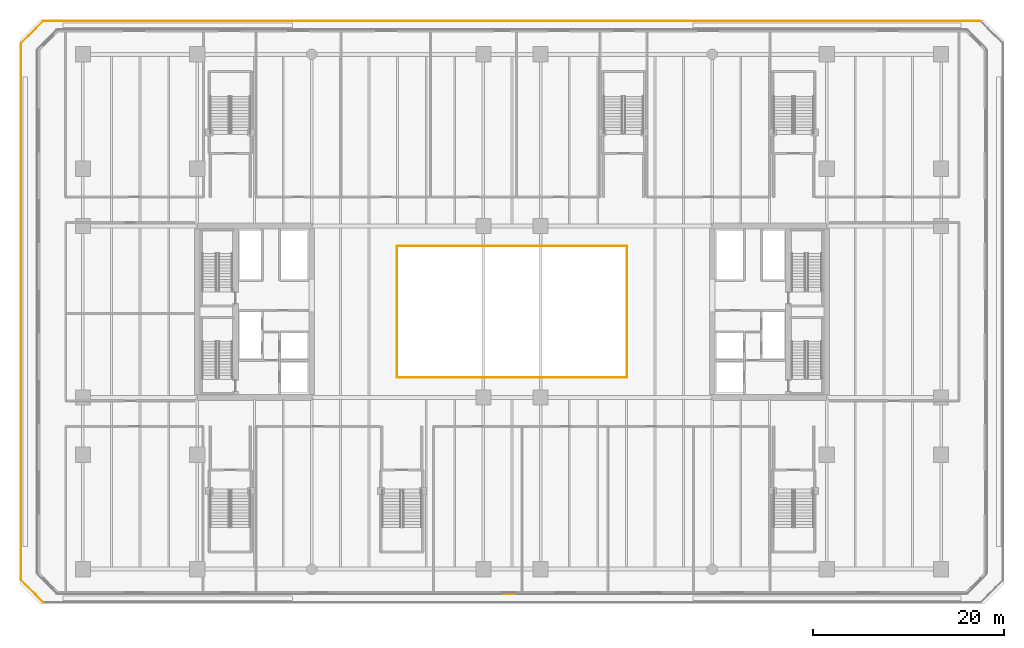
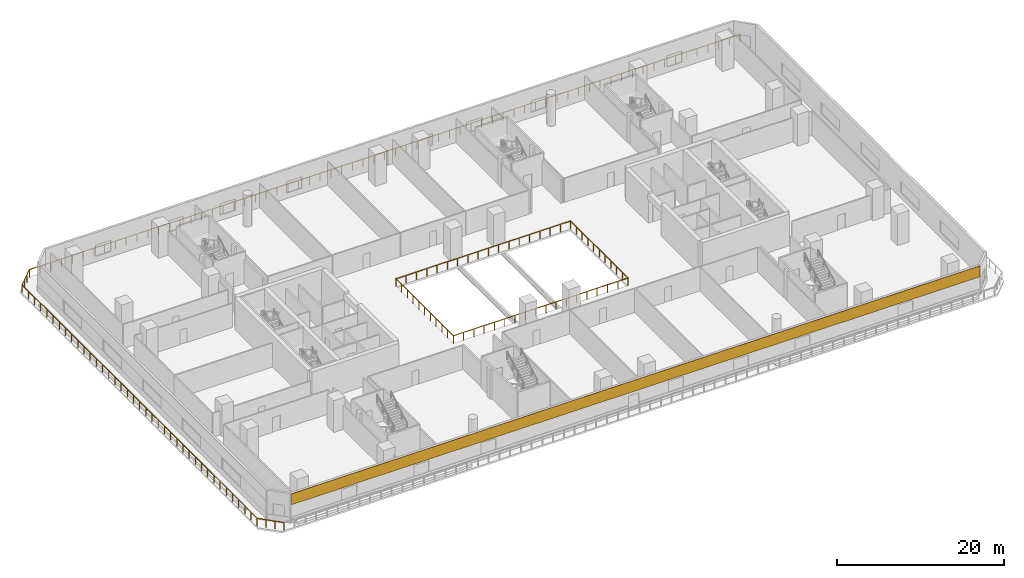
# One storey, part 16 of 27: 3 railings, 1 covering.
"""IFC4 building model written with IfcOpenShell, lengths in metres."""

from ifc_helpers import new_model, si_unit, direction, frame, origin, origin_2d, place, context, subcontext, project, spatial, rectangle, extrude, material, layer, layer_set, type_object, element, save


model = new_model("IFC4")

# Units and contexts
model_context = context("Model", 3, precision=1e-05, world=origin(), true_north=direction((0.0, 1.0)))
body_context = subcontext(model_context, "Body", "Model", "MODEL_VIEW")
ifc_project = project(units=[si_unit("LENGTHUNIT", "METRE"), si_unit("AREAUNIT", "SQUARE_METRE"), si_unit("VOLUMEUNIT", "CUBIC_METRE"), si_unit("PLANEANGLEUNIT", "RADIAN"), si_unit("MASSUNIT", "GRAM", prefix="KILO")], contexts=[model_context])

# Site, building, storey
site_placement = place(None, origin())
site = spatial("IfcSite", under=ifc_project, at=site_placement, CompositionType="ELEMENT")
building_placement = place(site_placement, origin())
building = spatial("IfcBuilding", under=site, at=building_placement, Name="Tanjung Sevakor Pilgrim Tower", CompositionType="ELEMENT")
storey_placement = place(building_placement, frame((0.0, 0.0, 19.469970703125)))
storey = spatial("IfcBuildingStorey", under=building, at=storey_placement, Name="L05", CompositionType="ELEMENT", Elevation=19.469970703125)

# Covering
ifc_material_1 = material(Name="Reconstructed Limestone Cladding", Category="masonry")
ifc_layer = layer(ifc_material_1, 0.044921875)
ifc_layer_set = layer_set([ifc_layer], Name="COV-CLAD-LIMESTONE")
covering_type = type_object("IfcCoveringType", Name="COV-CLAD-LIMESTONE", PredefinedType="CLADDING", material=ifc_layer_set)
covering_placement = place(storey_placement, frame((57.0, 3.9775390625, 2.659912109375), z_axis=(0.0, 0.0, 1.0), x_axis=(1.0, 0.0, 0.0)))
element("IfcCovering", 1, at=covering_placement, inside=storey, type_object=covering_type, Name="L05 Warm Limestone Cornice Spandrel EW-L05-MAIN-1", PredefinedType="CLADDING", context=body_context, shape_type="SweptSolid", body=[
    extrude(rectangle(XDim=95.243896484375, YDim=0.044921875, at=origin_2d()), origin(), (0.0, 0.0, 1.0), 1.60009765625),
])

# Railings
ifc_material_2 = material(Name="Laminated Glass and Aluminium", Category="aluminium")
railing_type_1 = type_object("IfcRailingType", Name="RL-BAL-BALUST", PredefinedType="BALUSTRADE", material=ifc_material_2)
railing_1_placement = place(storey_placement, frame((44.919921875, 26.719970703125, 0.0)))
element("IfcRailing", 2, at=railing_1_placement, inside=storey, type_object=railing_type_1, Name="L05 Void Opening Balustrade 1A", PredefinedType="BALUSTRADE", context=body_context, shape_type="SweptSolid", body=[
    extrude(rectangle(XDim=0.0479, YDim=0.0479), frame((0.0, 0.0, 1.1259765625), z_axis=(1.0, 0.0, 0.0), x_axis=(0.0, 1.0, 0.0)), (0.0, 0.0, 1.0), 24.16015625),
    extrude(rectangle(XDim=0.0479, YDim=0.0479), frame((24.16015625, 0.0, 1.1259765625), z_axis=(0.0, 1.0, 0.0), x_axis=(-1.0, 0.0, 0.0)), (0.0, 0.0, 1.0), 13.760009765625),
    extrude(rectangle(XDim=0.042, YDim=0.042), origin(), (0.0, 0.0, 1.0), 1.101806640625),
    extrude(rectangle(XDim=0.042, YDim=0.042), frame((1.421142578125, 0.0, 0.0)), (0.0, 0.0, 1.0), 1.101806640625),
    extrude(rectangle(XDim=0.042, YDim=0.042), frame((2.84228515625, 0.0, 0.0)), (0.0, 0.0, 1.0), 1.101806640625),
    extrude(rectangle(XDim=0.042, YDim=0.042), frame((4.263671875, 0.0, 0.0)), (0.0, 0.0, 1.0), 1.101806640625),
    extrude(rectangle(XDim=0.042, YDim=0.042), frame((5.684814453125, 0.0, 0.0)), (0.0, 0.0, 1.0), 1.101806640625),
    extrude(rectangle(XDim=0.042, YDim=0.042), frame((7.10595703125, 0.0, 0.0)), (0.0, 0.0, 1.0), 1.101806640625),
    extrude(rectangle(XDim=0.042, YDim=0.042), frame((8.527099609375, 0.0, 0.0)), (0.0, 0.0, 1.0), 1.101806640625),
    extrude(rectangle(XDim=0.042, YDim=0.042), frame((9.9482421875, 0.0, 0.0)), (0.0, 0.0, 1.0), 1.101806640625),
    extrude(rectangle(XDim=0.042, YDim=0.042), frame((11.369384765625, 0.0, 0.0)), (0.0, 0.0, 1.0), 1.101806640625),
    extrude(rectangle(XDim=0.042, YDim=0.042), frame((12.790771484375, 0.0, 0.0)), (0.0, 0.0, 1.0), 1.101806640625),
    extrude(rectangle(XDim=0.042, YDim=0.042), frame((14.2119140625, 0.0, 0.0)), (0.0, 0.0, 1.0), 1.101806640625),
    extrude(rectangle(XDim=0.042, YDim=0.042), frame((15.633056640625, 0.0, 0.0)), (0.0, 0.0, 1.0), 1.101806640625),
    extrude(rectangle(XDim=0.042, YDim=0.042), frame((17.05419921875, 0.0, 0.0)), (0.0, 0.0, 1.0), 1.101806640625),
    extrude(rectangle(XDim=0.042, YDim=0.042), frame((18.475341796875, 0.0, 0.0)), (0.0, 0.0, 1.0), 1.101806640625),
    extrude(rectangle(XDim=0.042, YDim=0.042), frame((19.896484375, 0.0, 0.0)), (0.0, 0.0, 1.0), 1.101806640625),
    extrude(rectangle(XDim=0.042, YDim=0.042), frame((21.31787109375, 0.0, 0.0)), (0.0, 0.0, 1.0), 1.101806640625),
    extrude(rectangle(XDim=0.042, YDim=0.042), frame((22.739013671875, 0.0, 0.0)), (0.0, 0.0, 1.0), 1.101806640625),
    extrude(rectangle(XDim=0.042, YDim=0.042), frame((24.16015625, 0.0, 0.0)), (0.0, 0.0, 1.0), 1.101806640625),
    extrude(rectangle(XDim=0.042, YDim=0.042), frame((24.16015625, 1.3759765625, 0.0)), (0.0, 0.0, 1.0), 1.101806640625),
    extrude(rectangle(XDim=0.042, YDim=0.042), frame((24.16015625, 2.751953125, 0.0)), (0.0, 0.0, 1.0), 1.101806640625),
    extrude(rectangle(XDim=0.042, YDim=0.042), frame((24.16015625, 4.1279296875, 0.0)), (0.0, 0.0, 1.0), 1.101806640625),
    extrude(rectangle(XDim=0.042, YDim=0.042), frame((24.16015625, 5.50390625, 0.0)), (0.0, 0.0, 1.0), 1.101806640625),
    extrude(rectangle(XDim=0.042, YDim=0.042), frame((24.16015625, 6.8798828125, 0.0)), (0.0, 0.0, 1.0), 1.101806640625),
    extrude(rectangle(XDim=0.042, YDim=0.042), frame((24.16015625, 8.256103515625, 0.0)), (0.0, 0.0, 1.0), 1.101806640625),
    extrude(rectangle(XDim=0.042, YDim=0.042), frame((24.16015625, 9.632080078125, 0.0)), (0.0, 0.0, 1.0), 1.101806640625),
    extrude(rectangle(XDim=0.042, YDim=0.042), frame((24.16015625, 11.008056640625, 0.0)), (0.0, 0.0, 1.0), 1.101806640625),
    extrude(rectangle(XDim=0.042, YDim=0.042), frame((24.16015625, 12.384033203125, 0.0)), (0.0, 0.0, 1.0), 1.101806640625),
    extrude(rectangle(XDim=0.042, YDim=0.042), frame((24.16015625, 13.760009765625, 0.0)), (0.0, 0.0, 1.0), 1.101806640625),
])
railing_2_placement = place(storey_placement, frame((69.080078125, 40.47998046875, 0.0)))
element("IfcRailing", 3, at=railing_2_placement, inside=storey, type_object=railing_type_1, Name="L05 Void Opening Balustrade 1B", PredefinedType="BALUSTRADE", context=body_context, shape_type="SweptSolid", body=[
    extrude(rectangle(XDim=0.0479, YDim=0.0479), frame((0.0, 0.0, 1.1259765625), z_axis=(-1.0, 0.0, 0.0), x_axis=(0.0, -1.0, 0.0)), (0.0, 0.0, 1.0), 24.16015625),
    extrude(rectangle(XDim=0.0479, YDim=0.0479), frame((-24.16015625, 0.0, 1.1259765625), z_axis=(0.0, -1.0, 0.0), x_axis=(1.0, 0.0, 0.0)), (0.0, 0.0, 1.0), 13.760009765625),
    extrude(rectangle(XDim=0.042, YDim=0.042), origin(), (0.0, 0.0, 1.0), 1.101806640625),
    extrude(rectangle(XDim=0.042, YDim=0.042), frame((-1.421142578125, 0.0, 0.0)), (0.0, 0.0, 1.0), 1.101806640625),
    extrude(rectangle(XDim=0.042, YDim=0.042), frame((-2.84228515625, 0.0, 0.0)), (0.0, 0.0, 1.0), 1.101806640625),
    extrude(rectangle(XDim=0.042, YDim=0.042), frame((-4.263671875, 0.0, 0.0)), (0.0, 0.0, 1.0), 1.101806640625),
    extrude(rectangle(XDim=0.042, YDim=0.042), frame((-5.684814453125, 0.0, 0.0)), (0.0, 0.0, 1.0), 1.101806640625),
    extrude(rectangle(XDim=0.042, YDim=0.042), frame((-7.10595703125, 0.0, 0.0)), (0.0, 0.0, 1.0), 1.101806640625),
    extrude(rectangle(XDim=0.042, YDim=0.042), frame((-8.527099609375, 0.0, 0.0)), (0.0, 0.0, 1.0), 1.101806640625),
    extrude(rectangle(XDim=0.042, YDim=0.042), frame((-9.9482421875, 0.0, 0.0)), (0.0, 0.0, 1.0), 1.101806640625),
    extrude(rectangle(XDim=0.042, YDim=0.042), frame((-11.369384765625, 0.0, 0.0)), (0.0, 0.0, 1.0), 1.101806640625),
    extrude(rectangle(XDim=0.042, YDim=0.042), frame((-12.790771484375, 0.0, 0.0)), (0.0, 0.0, 1.0), 1.101806640625),
    extrude(rectangle(XDim=0.042, YDim=0.042), frame((-14.2119140625, 0.0, 0.0)), (0.0, 0.0, 1.0), 1.101806640625),
    extrude(rectangle(XDim=0.042, YDim=0.042), frame((-15.633056640625, 0.0, 0.0)), (0.0, 0.0, 1.0), 1.101806640625),
    extrude(rectangle(XDim=0.042, YDim=0.042), frame((-17.05419921875, 0.0, 0.0)), (0.0, 0.0, 1.0), 1.101806640625),
    extrude(rectangle(XDim=0.042, YDim=0.042), frame((-18.475341796875, 0.0, 0.0)), (0.0, 0.0, 1.0), 1.101806640625),
    extrude(rectangle(XDim=0.042, YDim=0.042), frame((-19.896484375, 0.0, 0.0)), (0.0, 0.0, 1.0), 1.101806640625),
    extrude(rectangle(XDim=0.042, YDim=0.042), frame((-21.31787109375, 0.0, 0.0)), (0.0, 0.0, 1.0), 1.101806640625),
    extrude(rectangle(XDim=0.042, YDim=0.042), frame((-22.739013671875, 0.0, 0.0)), (0.0, 0.0, 1.0), 1.101806640625),
    extrude(rectangle(XDim=0.042, YDim=0.042), frame((-24.16015625, 0.0, 0.0)), (0.0, 0.0, 1.0), 1.101806640625),
    extrude(rectangle(XDim=0.042, YDim=0.042), frame((-24.16015625, -1.3759765625, 0.0)), (0.0, 0.0, 1.0), 1.101806640625),
    extrude(rectangle(XDim=0.042, YDim=0.042), frame((-24.16015625, -2.751953125, 0.0)), (0.0, 0.0, 1.0), 1.101806640625),
    extrude(rectangle(XDim=0.042, YDim=0.042), frame((-24.16015625, -4.1279296875, 0.0)), (0.0, 0.0, 1.0), 1.101806640625),
    extrude(rectangle(XDim=0.042, YDim=0.042), frame((-24.16015625, -5.50390625, 0.0)), (0.0, 0.0, 1.0), 1.101806640625),
    extrude(rectangle(XDim=0.042, YDim=0.042), frame((-24.16015625, -6.8798828125, 0.0)), (0.0, 0.0, 1.0), 1.101806640625),
    extrude(rectangle(XDim=0.042, YDim=0.042), frame((-24.16015625, -8.256103515625, 0.0)), (0.0, 0.0, 1.0), 1.101806640625),
    extrude(rectangle(XDim=0.042, YDim=0.042), frame((-24.16015625, -9.632080078125, 0.0)), (0.0, 0.0, 1.0), 1.101806640625),
    extrude(rectangle(XDim=0.042, YDim=0.042), frame((-24.16015625, -11.008056640625, 0.0)), (0.0, 0.0, 1.0), 1.101806640625),
    extrude(rectangle(XDim=0.042, YDim=0.042), frame((-24.16015625, -12.384033203125, 0.0)), (0.0, 0.0, 1.0), 1.101806640625),
    extrude(rectangle(XDim=0.042, YDim=0.042), frame((-24.16015625, -13.760009765625, 0.0)), (0.0, 0.0, 1.0), 1.101806640625),
])
ifc_material_3 = material(Name="Steel S355J2", Category="steel")
railing_type_2 = type_object("IfcRailingType", Name="RL-EXT-GUARD", PredefinedType="GUARDRAIL", material=ifc_material_3)
railing_3_placement = place(storey_placement, frame((106.15869140625, 64.10009765625, 0.0)))
element("IfcRailing", 4, at=railing_3_placement, inside=storey, type_object=railing_type_2, Name="L05 Terrace Perimeter Guardrail GR-PODTER-L05-2", PredefinedType="GUARDRAIL", context=body_context, shape_type="SweptSolid", body=[
    extrude(rectangle(XDim=0.0479, YDim=0.0479), frame((0.0, 0.0, 1.1259765625), z_axis=(-1.0, 0.0, 0.0), x_axis=(0.0, -1.0, 0.0)), (0.0, 0.0, 1.0), 98.3173828125),
    extrude(rectangle(XDim=0.0479, YDim=0.0479), frame((-98.3173828125, 0.0, 1.1259765625), z_axis=(-0.707069915266, -0.707143645185, 0.0), x_axis=(0.707143645185, -0.707069915266, 0.0)), (0.0, 0.0, 1.0), 3.311279296875),
    extrude(rectangle(XDim=0.0479, YDim=0.0479), frame((-100.65869140625, -2.341552734375, 1.1259765625), z_axis=(0.0, -1.0, 0.0), x_axis=(1.0, 0.0, 0.0)), (0.0, 0.0, 1.0), 56.317138671875),
    extrude(rectangle(XDim=0.0479, YDim=0.0479), frame((-100.65869140625, -58.65869140625, 1.1259765625), z_axis=(0.707106781187, -0.707106781187, 0.0), x_axis=(0.707106781187, 0.707106781187, 0.0)), (0.0, 0.0, 1.0), 3.31103515625),
    extrude(rectangle(XDim=0.042, YDim=0.042), origin(), (0.0, 0.0, 1.0), 1.101806640625),
    extrude(rectangle(XDim=0.042, YDim=0.042), frame((-1.48974609375, 0.0, 0.0)), (0.0, 0.0, 1.0), 1.101806640625),
    extrude(rectangle(XDim=0.042, YDim=0.042), frame((-2.979248046875, 0.0, 0.0)), (0.0, 0.0, 1.0), 1.101806640625),
    extrude(rectangle(XDim=0.042, YDim=0.042), frame((-4.468994140625, 0.0, 0.0)), (0.0, 0.0, 1.0), 1.101806640625),
    extrude(rectangle(XDim=0.042, YDim=0.042), frame((-5.958740234375, 0.0, 0.0)), (0.0, 0.0, 1.0), 1.101806640625),
    extrude(rectangle(XDim=0.042, YDim=0.042), frame((-7.4482421875, 0.0, 0.0)), (0.0, 0.0, 1.0), 1.101806640625),
    extrude(rectangle(XDim=0.042, YDim=0.042), frame((-8.93798828125, 0.0, 0.0)), (0.0, 0.0, 1.0), 1.101806640625),
    extrude(rectangle(XDim=0.042, YDim=0.042), frame((-10.427490234375, 0.0, 0.0)), (0.0, 0.0, 1.0), 1.101806640625),
    extrude(rectangle(XDim=0.042, YDim=0.042), frame((-11.917236328125, 0.0, 0.0)), (0.0, 0.0, 1.0), 1.101806640625),
    extrude(rectangle(XDim=0.042, YDim=0.042), frame((-13.406982421875, 0.0, 0.0)), (0.0, 0.0, 1.0), 1.101806640625),
    extrude(rectangle(XDim=0.042, YDim=0.042), frame((-14.896484375, 0.0, 0.0)), (0.0, 0.0, 1.0), 1.101806640625),
    extrude(rectangle(XDim=0.042, YDim=0.042), frame((-16.38623046875, 0.0, 0.0)), (0.0, 0.0, 1.0), 1.101806640625),
    extrude(rectangle(XDim=0.042, YDim=0.042), frame((-17.8759765625, 0.0, 0.0)), (0.0, 0.0, 1.0), 1.101806640625),
    extrude(rectangle(XDim=0.042, YDim=0.042), frame((-19.365478515625, 0.0, 0.0)), (0.0, 0.0, 1.0), 1.101806640625),
    extrude(rectangle(XDim=0.042, YDim=0.042), frame((-20.855224609375, 0.0, 0.0)), (0.0, 0.0, 1.0), 1.101806640625),
    extrude(rectangle(XDim=0.042, YDim=0.042), frame((-22.344970703125, 0.0, 0.0)), (0.0, 0.0, 1.0), 1.101806640625),
    extrude(rectangle(XDim=0.042, YDim=0.042), frame((-23.83447265625, 0.0, 0.0)), (0.0, 0.0, 1.0), 1.101806640625),
    extrude(rectangle(XDim=0.042, YDim=0.042), frame((-25.32421875, 0.0, 0.0)), (0.0, 0.0, 1.0), 1.101806640625),
    extrude(rectangle(XDim=0.042, YDim=0.042), frame((-26.813720703125, 0.0, 0.0)), (0.0, 0.0, 1.0), 1.101806640625),
    extrude(rectangle(XDim=0.042, YDim=0.042), frame((-28.303466796875, 0.0, 0.0)), (0.0, 0.0, 1.0), 1.101806640625),
    extrude(rectangle(XDim=0.042, YDim=0.042), frame((-29.793212890625, 0.0, 0.0)), (0.0, 0.0, 1.0), 1.101806640625),
    extrude(rectangle(XDim=0.042, YDim=0.042), frame((-31.28271484375, 0.0, 0.0)), (0.0, 0.0, 1.0), 1.101806640625),
    extrude(rectangle(XDim=0.042, YDim=0.042), frame((-32.7724609375, 0.0, 0.0)), (0.0, 0.0, 1.0), 1.101806640625),
    extrude(rectangle(XDim=0.042, YDim=0.042), frame((-34.26220703125, 0.0, 0.0)), (0.0, 0.0, 1.0), 1.101806640625),
    extrude(rectangle(XDim=0.042, YDim=0.042), frame((-35.751708984375, 0.0, 0.0)), (0.0, 0.0, 1.0), 1.101806640625),
    extrude(rectangle(XDim=0.042, YDim=0.042), frame((-37.241455078125, 0.0, 0.0)), (0.0, 0.0, 1.0), 1.101806640625),
    extrude(rectangle(XDim=0.042, YDim=0.042), frame((-38.731201171875, 0.0, 0.0)), (0.0, 0.0, 1.0), 1.101806640625),
    extrude(rectangle(XDim=0.042, YDim=0.042), frame((-40.220703125, 0.0, 0.0)), (0.0, 0.0, 1.0), 1.101806640625),
    extrude(rectangle(XDim=0.042, YDim=0.042), frame((-41.71044921875, 0.0, 0.0)), (0.0, 0.0, 1.0), 1.101806640625),
    extrude(rectangle(XDim=0.042, YDim=0.042), frame((-43.199951171875, 0.0, 0.0)), (0.0, 0.0, 1.0), 1.101806640625),
    extrude(rectangle(XDim=0.042, YDim=0.042), frame((-44.689697265625, 0.0, 0.0)), (0.0, 0.0, 1.0), 1.101806640625),
    extrude(rectangle(XDim=0.042, YDim=0.042), frame((-46.179443359375, 0.0, 0.0)), (0.0, 0.0, 1.0), 1.101806640625),
    extrude(rectangle(XDim=0.042, YDim=0.042), frame((-47.6689453125, 0.0, 0.0)), (0.0, 0.0, 1.0), 1.101806640625),
    extrude(rectangle(XDim=0.042, YDim=0.042), frame((-49.15869140625, 0.0, 0.0)), (0.0, 0.0, 1.0), 1.101806640625),
    extrude(rectangle(XDim=0.042, YDim=0.042), frame((-50.6484375, 0.0, 0.0)), (0.0, 0.0, 1.0), 1.101806640625),
    extrude(rectangle(XDim=0.042, YDim=0.042), frame((-52.137939453125, 0.0, 0.0)), (0.0, 0.0, 1.0), 1.101806640625),
    extrude(rectangle(XDim=0.042, YDim=0.042), frame((-53.627685546875, 0.0, 0.0)), (0.0, 0.0, 1.0), 1.101806640625),
    extrude(rectangle(XDim=0.042, YDim=0.042), frame((-55.117431640625, 0.0, 0.0)), (0.0, 0.0, 1.0), 1.101806640625),
    extrude(rectangle(XDim=0.042, YDim=0.042), frame((-56.60693359375, 0.0, 0.0)), (0.0, 0.0, 1.0), 1.101806640625),
    extrude(rectangle(XDim=0.042, YDim=0.042), frame((-58.0966796875, 0.0, 0.0)), (0.0, 0.0, 1.0), 1.101806640625),
    extrude(rectangle(XDim=0.042, YDim=0.042), frame((-59.586181640625, 0.0, 0.0)), (0.0, 0.0, 1.0), 1.101806640625),
    extrude(rectangle(XDim=0.042, YDim=0.042), frame((-61.075927734375, 0.0, 0.0)), (0.0, 0.0, 1.0), 1.101806640625),
    extrude(rectangle(XDim=0.042, YDim=0.042), frame((-62.565673828125, 0.0, 0.0)), (0.0, 0.0, 1.0), 1.101806640625),
    extrude(rectangle(XDim=0.042, YDim=0.042), frame((-64.05517578125, 0.0, 0.0)), (0.0, 0.0, 1.0), 1.101806640625),
    extrude(rectangle(XDim=0.042, YDim=0.042), frame((-65.544921875, 0.0, 0.0)), (0.0, 0.0, 1.0), 1.101806640625),
    extrude(rectangle(XDim=0.042, YDim=0.042), frame((-67.03466796875, 0.0, 0.0)), (0.0, 0.0, 1.0), 1.101806640625),
    extrude(rectangle(XDim=0.042, YDim=0.042), frame((-68.524169921875, 0.0, 0.0)), (0.0, 0.0, 1.0), 1.101806640625),
    extrude(rectangle(XDim=0.042, YDim=0.042), frame((-70.013916015625, 0.0, 0.0)), (0.0, 0.0, 1.0), 1.101806640625),
    extrude(rectangle(XDim=0.042, YDim=0.042), frame((-71.503662109375, 0.0, 0.0)), (0.0, 0.0, 1.0), 1.101806640625),
    extrude(rectangle(XDim=0.042, YDim=0.042), frame((-72.9931640625, 0.0, 0.0)), (0.0, 0.0, 1.0), 1.101806640625),
    extrude(rectangle(XDim=0.042, YDim=0.042), frame((-74.48291015625, 0.0, 0.0)), (0.0, 0.0, 1.0), 1.101806640625),
    extrude(rectangle(XDim=0.042, YDim=0.042), frame((-75.972412109375, 0.0, 0.0)), (0.0, 0.0, 1.0), 1.101806640625),
    extrude(rectangle(XDim=0.042, YDim=0.042), frame((-77.462158203125, 0.0, 0.0)), (0.0, 0.0, 1.0), 1.101806640625),
    extrude(rectangle(XDim=0.042, YDim=0.042), frame((-78.951904296875, 0.0, 0.0)), (0.0, 0.0, 1.0), 1.101806640625),
    extrude(rectangle(XDim=0.042, YDim=0.042), frame((-80.44140625, 0.0, 0.0)), (0.0, 0.0, 1.0), 1.101806640625),
    extrude(rectangle(XDim=0.042, YDim=0.042), frame((-81.93115234375, 0.0, 0.0)), (0.0, 0.0, 1.0), 1.101806640625),
    extrude(rectangle(XDim=0.042, YDim=0.042), frame((-83.4208984375, 0.0, 0.0)), (0.0, 0.0, 1.0), 1.101806640625),
    extrude(rectangle(XDim=0.042, YDim=0.042), frame((-84.910400390625, 0.0, 0.0)), (0.0, 0.0, 1.0), 1.101806640625),
    extrude(rectangle(XDim=0.042, YDim=0.042), frame((-86.400146484375, 0.0, 0.0)), (0.0, 0.0, 1.0), 1.101806640625),
    extrude(rectangle(XDim=0.042, YDim=0.042), frame((-87.889892578125, 0.0, 0.0)), (0.0, 0.0, 1.0), 1.101806640625),
    extrude(rectangle(XDim=0.042, YDim=0.042), frame((-89.37939453125, 0.0, 0.0)), (0.0, 0.0, 1.0), 1.101806640625),
    extrude(rectangle(XDim=0.042, YDim=0.042), frame((-90.869140625, 0.0, 0.0)), (0.0, 0.0, 1.0), 1.101806640625),
    extrude(rectangle(XDim=0.042, YDim=0.042), frame((-92.358642578125, 0.0, 0.0)), (0.0, 0.0, 1.0), 1.101806640625),
    extrude(rectangle(XDim=0.042, YDim=0.042), frame((-93.848388671875, 0.0, 0.0)), (0.0, 0.0, 1.0), 1.101806640625),
    extrude(rectangle(XDim=0.042, YDim=0.042), frame((-95.338134765625, 0.0, 0.0)), (0.0, 0.0, 1.0), 1.101806640625),
    extrude(rectangle(XDim=0.042, YDim=0.042), frame((-96.82763671875, 0.0, 0.0)), (0.0, 0.0, 1.0), 1.101806640625),
    extrude(rectangle(XDim=0.042, YDim=0.042), frame((-98.3173828125, 0.0, 0.0)), (0.0, 0.0, 1.0), 1.101806640625),
    extrude(rectangle(XDim=0.042, YDim=0.042), frame((-99.097900390625, -0.780517578125, 0.0)), (0.0, 0.0, 1.0), 1.101806640625),
    extrude(rectangle(XDim=0.042, YDim=0.042), frame((-99.878173828125, -1.56103515625, 0.0)), (0.0, 0.0, 1.0), 1.101806640625),
    extrude(rectangle(XDim=0.042, YDim=0.042), frame((-100.65869140625, -2.341552734375, 0.0)), (0.0, 0.0, 1.0), 1.101806640625),
    extrude(rectangle(XDim=0.042, YDim=0.042), frame((-100.65869140625, -3.823486328125, 0.0)), (0.0, 0.0, 1.0), 1.101806640625),
    extrude(rectangle(XDim=0.042, YDim=0.042), frame((-100.65869140625, -5.3056640625, 0.0)), (0.0, 0.0, 1.0), 1.101806640625),
    extrude(rectangle(XDim=0.042, YDim=0.042), frame((-100.65869140625, -6.78759765625, 0.0)), (0.0, 0.0, 1.0), 1.101806640625),
    extrude(rectangle(XDim=0.042, YDim=0.042), frame((-100.65869140625, -8.269775390625, 0.0)), (0.0, 0.0, 1.0), 1.101806640625),
    extrude(rectangle(XDim=0.042, YDim=0.042), frame((-100.65869140625, -9.751708984375, 0.0)), (0.0, 0.0, 1.0), 1.101806640625),
    extrude(rectangle(XDim=0.042, YDim=0.042), frame((-100.65869140625, -11.233642578125, 0.0)), (0.0, 0.0, 1.0), 1.101806640625),
    extrude(rectangle(XDim=0.042, YDim=0.042), frame((-100.65869140625, -12.7158203125, 0.0)), (0.0, 0.0, 1.0), 1.101806640625),
    extrude(rectangle(XDim=0.042, YDim=0.042), frame((-100.65869140625, -14.19775390625, 0.0)), (0.0, 0.0, 1.0), 1.101806640625),
    extrude(rectangle(XDim=0.042, YDim=0.042), frame((-100.65869140625, -15.679931640625, 0.0)), (0.0, 0.0, 1.0), 1.101806640625),
    extrude(rectangle(XDim=0.042, YDim=0.042), frame((-100.65869140625, -17.161865234375, 0.0)), (0.0, 0.0, 1.0), 1.101806640625),
    extrude(rectangle(XDim=0.042, YDim=0.042), frame((-100.65869140625, -18.643798828125, 0.0)), (0.0, 0.0, 1.0), 1.101806640625),
    extrude(rectangle(XDim=0.042, YDim=0.042), frame((-100.65869140625, -20.1259765625, 0.0)), (0.0, 0.0, 1.0), 1.101806640625),
    extrude(rectangle(XDim=0.042, YDim=0.042), frame((-100.65869140625, -21.60791015625, 0.0)), (0.0, 0.0, 1.0), 1.101806640625),
    extrude(rectangle(XDim=0.042, YDim=0.042), frame((-100.65869140625, -23.090087890625, 0.0)), (0.0, 0.0, 1.0), 1.101806640625),
    extrude(rectangle(XDim=0.042, YDim=0.042), frame((-100.65869140625, -24.572021484375, 0.0)), (0.0, 0.0, 1.0), 1.101806640625),
    extrude(rectangle(XDim=0.042, YDim=0.042), frame((-100.65869140625, -26.053955078125, 0.0)), (0.0, 0.0, 1.0), 1.101806640625),
    extrude(rectangle(XDim=0.042, YDim=0.042), frame((-100.65869140625, -27.5361328125, 0.0)), (0.0, 0.0, 1.0), 1.101806640625),
    extrude(rectangle(XDim=0.042, YDim=0.042), frame((-100.65869140625, -29.01806640625, 0.0)), (0.0, 0.0, 1.0), 1.101806640625),
    extrude(rectangle(XDim=0.042, YDim=0.042), frame((-100.65869140625, -30.5, 0.0)), (0.0, 0.0, 1.0), 1.101806640625),
    extrude(rectangle(XDim=0.042, YDim=0.042), frame((-100.65869140625, -31.982177734375, 0.0)), (0.0, 0.0, 1.0), 1.101806640625),
    extrude(rectangle(XDim=0.042, YDim=0.042), frame((-100.65869140625, -33.464111328125, 0.0)), (0.0, 0.0, 1.0), 1.101806640625),
    extrude(rectangle(XDim=0.042, YDim=0.042), frame((-100.65869140625, -34.9462890625, 0.0)), (0.0, 0.0, 1.0), 1.101806640625),
    extrude(rectangle(XDim=0.042, YDim=0.042), frame((-100.65869140625, -36.42822265625, 0.0)), (0.0, 0.0, 1.0), 1.101806640625),
    extrude(rectangle(XDim=0.042, YDim=0.042), frame((-100.65869140625, -37.91015625, 0.0)), (0.0, 0.0, 1.0), 1.101806640625),
    extrude(rectangle(XDim=0.042, YDim=0.042), frame((-100.65869140625, -39.392333984375, 0.0)), (0.0, 0.0, 1.0), 1.101806640625),
    extrude(rectangle(XDim=0.042, YDim=0.042), frame((-100.65869140625, -40.874267578125, 0.0)), (0.0, 0.0, 1.0), 1.101806640625),
    extrude(rectangle(XDim=0.042, YDim=0.042), frame((-100.65869140625, -42.3564453125, 0.0)), (0.0, 0.0, 1.0), 1.101806640625),
    extrude(rectangle(XDim=0.042, YDim=0.042), frame((-100.65869140625, -43.83837890625, 0.0)), (0.0, 0.0, 1.0), 1.101806640625),
    extrude(rectangle(XDim=0.042, YDim=0.042), frame((-100.65869140625, -45.3203125, 0.0)), (0.0, 0.0, 1.0), 1.101806640625),
    extrude(rectangle(XDim=0.042, YDim=0.042), frame((-100.65869140625, -46.802490234375, 0.0)), (0.0, 0.0, 1.0), 1.101806640625),
    extrude(rectangle(XDim=0.042, YDim=0.042), frame((-100.65869140625, -48.284423828125, 0.0)), (0.0, 0.0, 1.0), 1.101806640625),
    extrude(rectangle(XDim=0.042, YDim=0.042), frame((-100.65869140625, -49.7666015625, 0.0)), (0.0, 0.0, 1.0), 1.101806640625),
    extrude(rectangle(XDim=0.042, YDim=0.042), frame((-100.65869140625, -51.24853515625, 0.0)), (0.0, 0.0, 1.0), 1.101806640625),
    extrude(rectangle(XDim=0.042, YDim=0.042), frame((-100.65869140625, -52.73046875, 0.0)), (0.0, 0.0, 1.0), 1.101806640625),
    extrude(rectangle(XDim=0.042, YDim=0.042), frame((-100.65869140625, -54.212646484375, 0.0)), (0.0, 0.0, 1.0), 1.101806640625),
    extrude(rectangle(XDim=0.042, YDim=0.042), frame((-100.65869140625, -55.694580078125, 0.0)), (0.0, 0.0, 1.0), 1.101806640625),
    extrude(rectangle(XDim=0.042, YDim=0.042), frame((-100.65869140625, -57.1767578125, 0.0)), (0.0, 0.0, 1.0), 1.101806640625),
    extrude(rectangle(XDim=0.042, YDim=0.042), frame((-100.65869140625, -58.65869140625, 0.0)), (0.0, 0.0, 1.0), 1.101806640625),
    extrude(rectangle(XDim=0.042, YDim=0.042), frame((-99.878173828125, -59.439208984375, 0.0)), (0.0, 0.0, 1.0), 1.101806640625),
    extrude(rectangle(XDim=0.042, YDim=0.042), frame((-99.097900390625, -60.219482421875, 0.0)), (0.0, 0.0, 1.0), 1.101806640625),
    extrude(rectangle(XDim=0.042, YDim=0.042), frame((-98.3173828125, -61.0, 0.0)), (0.0, 0.0, 1.0), 1.101806640625),
])

save(model, "model.ifc")
